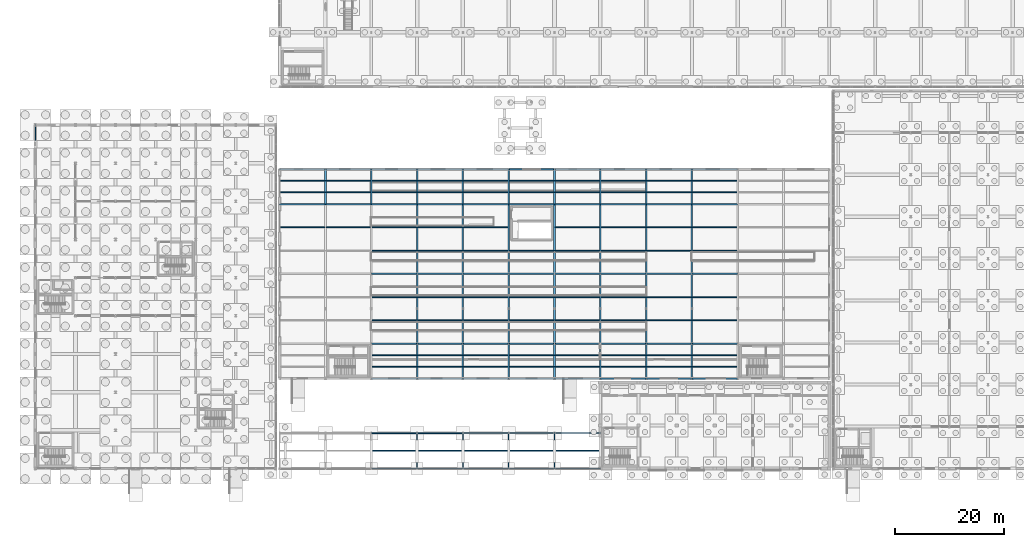
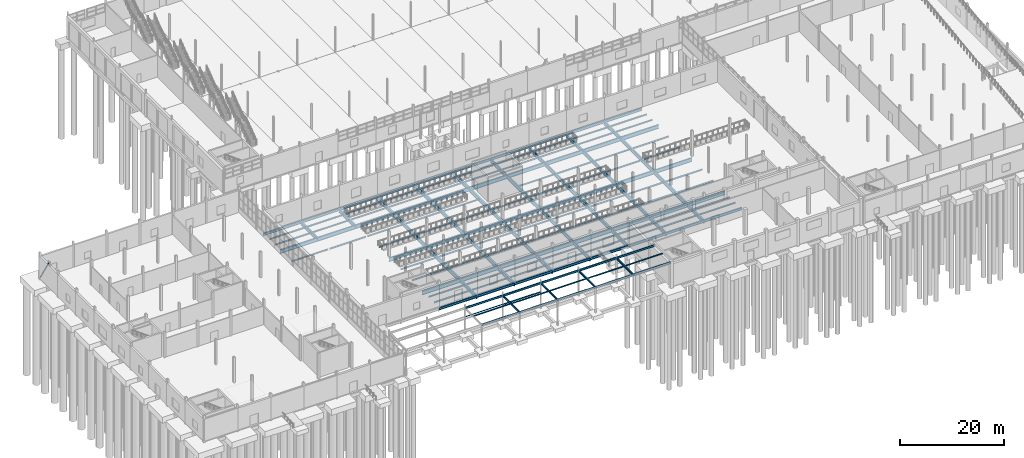
# One storey, part 65 of 139: 164 beams, 1 member.
"""IFC4 building model written with IfcOpenShell, lengths in metres."""

import ifcopenshell
import ifcopenshell.guid

model = None  # the IFC model being written
_history = None  # IfcOwnerHistory: only IFC2X3 demands one
_inside = {}  # id of a spatial element -> (the spatial element, [elements in it])
_under = {}  # id of a project, library or spatial element -> (it, [spatial elements below it])
_declared = {}  # id of a project -> (the project, [libraries it declares])
_typed = {}  # id of a type object -> (the type object, [elements of that type])
_made_of = {}  # id of a material, layer set ... -> (it, [elements and type objects made of it])


def new_model(schema):
    """Start an empty IFC model of exactly this schema.

    Asked for "IFC4X3", IfcOpenShell would pick the latest addendum, in which some entities
    have other attributes; the version numbers below select the first issue.
    IFC2X3 requires an IfcOwnerHistory on every rooted entity: one is made here for all.
    """
    global model, _history
    if schema == "IFC4X3":
        model = ifcopenshell.file(schema_version=(4, 3, 0, 0))
    else:
        model = ifcopenshell.file(schema=schema)
    _inside.clear()
    _under.clear()
    _declared.clear()
    _typed.clear()
    _made_of.clear()
    _history = None
    if model.schema == "IFC2X3":
        org = make("IfcOrganization", Name="unknown")
        user = make(
            "IfcPersonAndOrganization",
            ThePerson=make("IfcPerson", FamilyName="unknown"),
            TheOrganization=org,
        )
        app = make(
            "IfcApplication",
            ApplicationDeveloper=org,
            Version="unknown",
            ApplicationFullName="unknown",
            ApplicationIdentifier="unknown",
        )
        _history = make(
            "IfcOwnerHistory",
            OwningUser=user,
            OwningApplication=app,
            ChangeAction="ADDED",
            CreationDate=0,
        )
    return model


def make(cls, **values):
    """One entity of the class cls with the attributes given. An attribute that is None is left unset."""
    return model.create_entity(
        cls, **{name: value for name, value in values.items() if value is not None}
    )


def rooted(cls, **values):
    """An entity with a GlobalId (a new one), such as an element, a storey or a relation."""
    return make(cls, GlobalId=ifcopenshell.guid.new(), OwnerHistory=_history, **values)


def si_unit(unit_type, name, prefix=None):
    """IfcSIUnit, for example si_unit("LENGTHUNIT", "METRE", prefix="MILLI")."""
    return make("IfcSIUnit", UnitType=unit_type, Prefix=prefix, Name=name)


def assignment(units):
    """IfcUnitAssignment: the units of a project."""
    return None if units is None else make("IfcUnitAssignment", Units=units)


def point(xyz):
    """IfcCartesianPoint."""
    return None if xyz is None else make("IfcCartesianPoint", Coordinates=xyz)


def direction(xyz):
    """IfcDirection."""
    return None if xyz is None else make("IfcDirection", DirectionRatios=xyz)


def frame(location, z_axis=None, x_axis=None):
    """IfcAxis2Placement3D, a coordinate frame: its origin and axes. An axis left out is left unset."""
    return make(
        "IfcAxis2Placement3D",
        Location=point(location),
        Axis=direction(z_axis),
        RefDirection=direction(x_axis),
    )


def frame_2d(location, x_axis=None):
    """IfcAxis2Placement2D, a coordinate frame in the plane: its origin and x axis."""
    return make(
        "IfcAxis2Placement2D", Location=point(location), RefDirection=direction(x_axis)
    )


def origin():
    """The frame at (0, 0, 0) with its axes left unset."""
    return frame((0.0, 0.0, 0.0))


def origin_2d():
    """The frame at (0, 0) in the plane with its x axis left unset."""
    return frame_2d((0.0, 0.0))


def place(relative_to, where):
    """IfcLocalPlacement: puts the frame where relative to a parent placement (None: the world)."""
    return make(
        "IfcLocalPlacement", PlacementRelTo=relative_to, RelativePlacement=where
    )


def context(
    kind, dimensions, precision=None, world=None, true_north=None, identifier=None
):
    """IfcGeometricRepresentationContext, for example the 3D "Model" context."""
    return make(
        "IfcGeometricRepresentationContext",
        ContextIdentifier=identifier,
        ContextType=kind,
        CoordinateSpaceDimension=dimensions,
        Precision=precision,
        WorldCoordinateSystem=world,
        TrueNorth=true_north,
    )


def subcontext(parent, identifier, kind, view, scale=None):
    """IfcGeometricRepresentationSubContext, for example "Body" below "Model"."""
    return make(
        "IfcGeometricRepresentationSubContext",
        ContextIdentifier=identifier,
        ContextType=kind,
        ParentContext=parent,
        TargetScale=scale,
        TargetView=view,
    )


def project(units=None, contexts=None):
    """IfcProject with its units and contexts."""
    return rooted(
        "IfcProject",
        Name="project",
        RepresentationContexts=contexts,
        UnitsInContext=assignment(units),
    )


def spatial(cls, under=None, at=None, **own):
    """A site, building, storey or space (cls), placed at a placement, below another one or the project."""
    s = rooted(cls, ObjectPlacement=at, **own)
    if under is not None:
        _under.setdefault(under.id(), (under, []))[1].append(s)
    return s


def profile(cls, at=None, kind="AREA", **sizes):
    """A parametric profile (cls). Its sizes go by their IFC names, for example OverallWidth=200.0."""
    return make(cls, ProfileType=kind, Position=at, **sizes)


def hollow_rectangle(**sizes):
    """IfcRectangleHollowProfileDef."""
    return profile("IfcRectangleHollowProfileDef", **sizes)


def i_section(**sizes):
    """IfcIShapeProfileDef."""
    return profile("IfcIShapeProfileDef", **sizes)


def extrude(swept, where, along, depth):
    """IfcExtrudedAreaSolid: the profile swept, set in the frame where, extruded along a direction by depth."""
    return make(
        "IfcExtrudedAreaSolid",
        SweptArea=swept,
        Position=where,
        ExtrudedDirection=direction(along),
        Depth=depth,
    )


def shape(context_of_items, identifier, shape_type, items):
    """IfcShapeRepresentation: the items that make up one representation, for example the "Body"."""
    return make(
        "IfcShapeRepresentation",
        ContextOfItems=context_of_items,
        RepresentationIdentifier=identifier,
        RepresentationType=shape_type,
        Items=items,
    )


def material(Name=None, Category=None):
    """IfcMaterial."""
    return make("IfcMaterial", Name=Name, Category=Category)


def material_profile(
    of_material, cross_section, Name=None, Category=None, Priority=None
):
    """IfcMaterialProfile: a cross section and its material."""
    return make(
        "IfcMaterialProfile",
        Name=Name,
        Material=of_material,
        Profile=cross_section,
        Priority=Priority,
        Category=Category,
    )


def profile_set(profiles, Name=None, composite=None):
    """IfcMaterialProfileSet."""
    return make(
        "IfcMaterialProfileSet",
        Name=Name,
        MaterialProfiles=profiles,
        CompositeProfile=composite,
    )


def made_of(thing, what):
    """Note that an element or type object is made of a material, layer set ...; save() writes the relation."""
    if what is not None:
        _made_of.setdefault(what.id(), (what, []))[1].append(thing)
    return thing


def type_object(cls, material=None, **own):
    """A type object (cls), such as IfcWallType, which elements share."""
    return made_of(rooted(cls, **own), material)


def element(
    cls,
    number,
    at=None,
    inside=None,
    cuts=None,
    type_object=None,
    material=None,
    context=None,
    identifier="Body",
    shape_type=None,
    held_by="IfcProductDefinitionShape",
    body=None,
    shapes=None,
    **own,
):
    """One element of the class cls, such as IfcWall. Its Tag is "e" and its number.

    at: its placement. inside: the storey or other place that contains it. cuts: it is an
    opening in that element (IfcRelVoidsElement). A single representation is given by context,
    identifier, shape_type and body (its items); several are given by shapes. held_by: the class
    of the entity that holds the representations. save() writes the other relations.
    """
    e = rooted(cls, Tag="e%d" % number, ObjectPlacement=at, **own)
    if body is not None:
        shapes = [shape(context, identifier, shape_type, body)]
    if shapes is not None:
        e.Representation = make(held_by, Representations=shapes)
    if inside is not None:
        _inside.setdefault(inside.id(), (inside, []))[1].append(e)
    if cuts is not None:
        rooted(
            "IfcRelVoidsElement", RelatingBuildingElement=cuts, RelatedOpeningElement=e
        )
    if type_object is not None:
        _typed.setdefault(type_object.id(), (type_object, []))[1].append(e)
    return made_of(e, material)


def aggregate(whole, parts):
    """IfcRelAggregates: a whole, such as a stair, and the parts it consists of."""
    return rooted("IfcRelAggregates", RelatingObject=whole, RelatedObjects=parts)


def save(model, path):
    """Write the relations noted so far, then the file.

    IfcRelAggregates (storeys below a building ...), IfcRelContainedInSpatialStructure (elements
    in a storey), IfcRelDefinesByType, IfcRelAssociatesMaterial and IfcRelDeclares: one each for
    every whole, place, type object, material and project.
    """
    for whole, parts in _under.values():
        aggregate(whole, parts)
    for where, things in _inside.values():
        rooted(
            "IfcRelContainedInSpatialStructure",
            RelatedElements=things,
            RelatingStructure=where,
        )
    for kind, things in _typed.values():
        rooted("IfcRelDefinesByType", RelatedObjects=things, RelatingType=kind)
    for what, things in _made_of.values():
        rooted("IfcRelAssociatesMaterial", RelatedObjects=things, RelatingMaterial=what)
    for by, libraries in _declared.values():
        rooted("IfcRelDeclares", RelatingContext=by, RelatedDefinitions=libraries)
    model.write(path)


model = new_model("IFC4")

# Units and contexts
model_context = context("Model", 3, precision=1e-05, world=origin(), true_north=direction((0.0, 1.0)))
body_context = subcontext(model_context, "Body", "Model", "MODEL_VIEW")
ifc_project = project(units=[si_unit("LENGTHUNIT", "METRE"), si_unit("AREAUNIT", "SQUARE_METRE"), si_unit("VOLUMEUNIT", "CUBIC_METRE"), si_unit("PLANEANGLEUNIT", "RADIAN"), si_unit("MASSUNIT", "GRAM", prefix="KILO")], contexts=[model_context])

# Site, building, storey
site_placement = place(None, origin())
site = spatial("IfcSite", under=ifc_project, at=site_placement, CompositionType="ELEMENT")
building_placement = place(site_placement, origin())
building = spatial("IfcBuilding", under=site, at=building_placement, Name="Kazenagashi Tramway Depot", CompositionType="ELEMENT")
storey_placement = place(building_placement, origin())
storey = spatial("IfcBuildingStorey", under=building, at=storey_placement, Name="L01", CompositionType="ELEMENT", Elevation=0.0)

# Member
ifc_material_1 = material(Name="Steel SN400B", Category="steel")
ifc_material_profile_1 = material_profile(ifc_material_1, i_section(OverallWidth=0.2, OverallDepth=0.2, WebThickness=0.008, FlangeThickness=0.012, at=origin_2d()), Name="H-200x200x8x12")
ifc_profile_set_1 = profile_set([ifc_material_profile_1], Name="Steel SN400B")
member_type = type_object("IfcMemberType", Name="BR-04", PredefinedType="BRACE", material=ifc_profile_set_1)
member_placement = place(storey_placement, frame((0.0, 63.0, 0.0), z_axis=(0.0, -0.519946946896, 0.854198555614), x_axis=(1.0, 0.0, 0.0)))
element("IfcMember", 1, at=member_placement, inside=storey, type_object=member_type, Name="Seismic Brace Member BR-04 MEM-1603", PredefinedType="BRACE", context=body_context, shape_type="SweptSolid", body=[
    extrude(i_section(OverallWidth=0.2, OverallDepth=0.2, WebThickness=0.008, FlangeThickness=0.012, at=origin_2d()), origin(), (0.0, 0.0, 1.0), 6.731456),
])

# Beams
ifc_material_2 = material(Name="Steel SN490B", Category="steel")
ifc_material_profile_2 = material_profile(ifc_material_2, i_section(OverallWidth=0.3, OverallDepth=0.9, WebThickness=0.016, FlangeThickness=0.028, at=origin_2d()), Name="H-900x300x16x28")
ifc_profile_set_2 = profile_set([ifc_material_profile_2], Name="Steel SN490B")
beam_type_1 = type_object("IfcBeamType", Name="G-01", PredefinedType="BEAM", material=ifc_profile_set_2)
for number, where, z_axis, x_axis, name in (
    (2, (61.6, 22.9, -0.8), (1.0, 0.0, 0.0), (0.0, 1.0, 0.0), "Beam G-01 BM-0755"),
    (3, (70.0, 22.9, -0.8), (1.0, 0.0, 0.0), (0.0, 1.0, 0.0), "Beam G-01 BM-0756"),
    (4, (78.4, 22.9, -0.8), (1.0, 0.0, 0.0), (0.0, 1.0, 0.0), "Beam G-01 BM-0757"),
    (5, (86.8, 22.9, -0.8), (1.0, 0.0, 0.0), (0.0, 1.0, 0.0), "Beam G-01 BM-0758"),
    (6, (95.2, 22.9, -0.8), (1.0, 0.0, 0.0), (0.0, 1.0, 0.0), "Beam G-01 BM-0759"),
    (7, (103.6, 22.9, -0.8), (1.0, 0.0, 0.0), (0.0, 1.0, 0.0), "Beam G-01 BM-0760"),
    (8, (112.0, 22.9, -0.8), (1.0, 0.0, 0.0), (0.0, 1.0, 0.0), "Beam G-01 BM-0761"),
    (9, (120.4, 22.9, -0.8), (1.0, 0.0, 0.0), (0.0, 1.0, 0.0), "Beam G-01 BM-0762"),
    (10, (61.6, 35.7, -0.8), (1.0, 0.0, 0.0), (0.0, 1.0, 0.0), "Beam G-01 BM-0767"),
    (11, (70.0, 35.7, -0.8), (1.0, 0.0, 0.0), (0.0, 1.0, 0.0), "Beam G-01 BM-0768"),
    (12, (78.4, 35.7, -0.8), (1.0, 0.0, 0.0), (0.0, 1.0, 0.0), "Beam G-01 BM-0769"),
    (13, (86.8, 35.7, -0.8), (1.0, 0.0, 0.0), (0.0, 1.0, 0.0), "Beam G-01 BM-0770"),
    (14, (95.2, 35.7, -0.8), (1.0, 0.0, 0.0), (0.0, 1.0, 0.0), "Beam G-01 BM-0771"),
    (15, (103.6, 35.7, -0.8), (1.0, 0.0, 0.0), (0.0, 1.0, 0.0), "Beam G-01 BM-0772"),
    (16, (112.0, 35.7, -0.8), (1.0, 0.0, 0.0), (0.0, 1.0, 0.0), "Beam G-01 BM-0773"),
    (17, (120.4, 35.7, -0.8), (1.0, 0.0, 0.0), (0.0, 1.0, 0.0), "Beam G-01 BM-0774"),
    (18, (44.8, 48.5, -0.8), (1.0, 0.0, 0.0), (0.0, 1.0, 0.0), "Beam G-01 BM-0777"),
    (19, (53.2, 48.5, -0.8), (1.0, 0.0, 0.0), (0.0, 1.0, 0.0), "Beam G-01 BM-0778"),
    (20, (61.6, 48.5, -0.8), (1.0, 0.0, 0.0), (0.0, 1.0, 0.0), "Beam G-01 BM-0779"),
    (21, (70.0, 48.5, -0.8), (1.0, 0.0, 0.0), (0.0, 1.0, 0.0), "Beam G-01 BM-0780"),
    (22, (78.4, 48.5, -0.8), (1.0, 0.0, 0.0), (0.0, 1.0, 0.0), "Beam G-01 BM-0781"),
    (23, (86.8, 48.5, -0.8), (1.0, 0.0, 0.0), (0.0, 1.0, 0.0), "Beam G-01 BM-0782"),
    (24, (95.2, 48.5, -0.8), (1.0, 0.0, 0.0), (0.0, 1.0, 0.0), "Beam G-01 BM-0783"),
    (25, (103.6, 48.5, -0.8), (1.0, 0.0, 0.0), (0.0, 1.0, 0.0), "Beam G-01 BM-0784"),
    (26, (112.0, 48.5, -0.8), (1.0, 0.0, 0.0), (0.0, 1.0, 0.0), "Beam G-01 BM-0785"),
    (27, (120.4, 48.5, -0.8), (1.0, 0.0, 0.0), (0.0, 1.0, 0.0), "Beam G-01 BM-0786"),
):
    element("IfcBeam", number, at=place(storey_placement, frame(where, z_axis=z_axis, x_axis=x_axis)), inside=storey, type_object=beam_type_1, Name=name, PredefinedType="BEAM", context=body_context, shape_type="SweptSolid", body=[
        extrude(i_section(OverallWidth=0.3, OverallDepth=0.9, WebThickness=0.016, FlangeThickness=0.028, at=origin_2d()), origin(), (0.0, 0.0, 1.0), 8.4),
    ])
for number, where, z_axis, x_axis, name in (
    (28, (53.2, 48.5, -0.8), (0.0, 1.0, 0.0), (-1.0, 0.0, 0.0), "Beam G-01 BM-0821"),
    (29, (61.6, 48.5, -0.8), (0.0, 1.0, 0.0), (-1.0, 0.0, 0.0), "Beam G-01 BM-0833"),
    (30, (70.0, 16.5, -0.8), (0.0, 1.0, 0.0), (-1.0, 0.0, 0.0), "Beam G-01 BM-0836"),
):
    element("IfcBeam", number, at=place(storey_placement, frame(where, z_axis=z_axis, x_axis=x_axis)), inside=storey, type_object=beam_type_1, Name=name, PredefinedType="BEAM", context=body_context, shape_type="SweptSolid", body=[
        extrude(i_section(OverallWidth=0.3, OverallDepth=0.9, WebThickness=0.016, FlangeThickness=0.028, at=origin_2d()), origin(), (0.0, 0.0, 1.0), 6.4),
    ])
for number, where, z_axis, x_axis, name in (
    (31, (70.0, 22.9, -0.8), (0.0, 1.0, 0.0), (-1.0, 0.0, 0.0), "Beam G-01 BM-0839"),
    (32, (70.0, 35.7, -0.8), (0.0, 1.0, 0.0), (-1.0, 0.0, 0.0), "Beam G-01 BM-0842"),
):
    element("IfcBeam", number, at=place(storey_placement, frame(where, z_axis=z_axis, x_axis=x_axis)), inside=storey, type_object=beam_type_1, Name=name, PredefinedType="BEAM", context=body_context, shape_type="SweptSolid", body=[
        extrude(i_section(OverallWidth=0.3, OverallDepth=0.9, WebThickness=0.016, FlangeThickness=0.028, at=origin_2d()), origin(), (0.0, 0.0, 1.0), 12.8),
    ])
for number, where, z_axis, x_axis, name in (
    (33, (70.0, 48.5, -0.8), (0.0, 1.0, 0.0), (-1.0, 0.0, 0.0), "Beam G-01 BM-0845"),
    (34, (78.4, 16.5, -0.8), (0.0, 1.0, 0.0), (-1.0, 0.0, 0.0), "Beam G-01 BM-0848"),
):
    element("IfcBeam", number, at=place(storey_placement, frame(where, z_axis=z_axis, x_axis=x_axis)), inside=storey, type_object=beam_type_1, Name=name, PredefinedType="BEAM", context=body_context, shape_type="SweptSolid", body=[
        extrude(i_section(OverallWidth=0.3, OverallDepth=0.9, WebThickness=0.016, FlangeThickness=0.028, at=origin_2d()), origin(), (0.0, 0.0, 1.0), 6.4),
    ])
for number, where, z_axis, x_axis, name in (
    (35, (78.4, 22.9, -0.8), (0.0, 1.0, 0.0), (-1.0, 0.0, 0.0), "Beam G-01 BM-0851"),
    (36, (78.4, 35.7, -0.8), (0.0, 1.0, 0.0), (-1.0, 0.0, 0.0), "Beam G-01 BM-0854"),
):
    element("IfcBeam", number, at=place(storey_placement, frame(where, z_axis=z_axis, x_axis=x_axis)), inside=storey, type_object=beam_type_1, Name=name, PredefinedType="BEAM", context=body_context, shape_type="SweptSolid", body=[
        extrude(i_section(OverallWidth=0.3, OverallDepth=0.9, WebThickness=0.016, FlangeThickness=0.028, at=origin_2d()), origin(), (0.0, 0.0, 1.0), 12.8),
    ])
for number, where, z_axis, x_axis, name in (
    (37, (78.4, 48.5, -0.8), (0.0, 1.0, 0.0), (-1.0, 0.0, 0.0), "Beam G-01 BM-0857"),
    (38, (86.8, 16.5, -0.8), (0.0, 1.0, 0.0), (-1.0, 0.0, 0.0), "Beam G-01 BM-0860"),
):
    element("IfcBeam", number, at=place(storey_placement, frame(where, z_axis=z_axis, x_axis=x_axis)), inside=storey, type_object=beam_type_1, Name=name, PredefinedType="BEAM", context=body_context, shape_type="SweptSolid", body=[
        extrude(i_section(OverallWidth=0.3, OverallDepth=0.9, WebThickness=0.016, FlangeThickness=0.028, at=origin_2d()), origin(), (0.0, 0.0, 1.0), 6.4),
    ])
for number, where, z_axis, x_axis, name in (
    (39, (86.8, 22.9, -0.8), (0.0, 1.0, 0.0), (-1.0, 0.0, 0.0), "Beam G-01 BM-0863"),
    (40, (86.8, 35.7, -0.8), (0.0, 1.0, 0.0), (-1.0, 0.0, 0.0), "Beam G-01 BM-0866"),
):
    element("IfcBeam", number, at=place(storey_placement, frame(where, z_axis=z_axis, x_axis=x_axis)), inside=storey, type_object=beam_type_1, Name=name, PredefinedType="BEAM", context=body_context, shape_type="SweptSolid", body=[
        extrude(i_section(OverallWidth=0.3, OverallDepth=0.9, WebThickness=0.016, FlangeThickness=0.028, at=origin_2d()), origin(), (0.0, 0.0, 1.0), 12.8),
    ])
for number, where, z_axis, x_axis, name in (
    (41, (86.8, 48.5, -0.8), (0.0, 1.0, 0.0), (-1.0, 0.0, 0.0), "Beam G-01 BM-0868"),
    (42, (95.2, 16.5, -0.8), (0.0, 1.0, 0.0), (-1.0, 0.0, 0.0), "Beam G-01 BM-0871"),
):
    element("IfcBeam", number, at=place(storey_placement, frame(where, z_axis=z_axis, x_axis=x_axis)), inside=storey, type_object=beam_type_1, Name=name, PredefinedType="BEAM", context=body_context, shape_type="SweptSolid", body=[
        extrude(i_section(OverallWidth=0.3, OverallDepth=0.9, WebThickness=0.016, FlangeThickness=0.028, at=origin_2d()), origin(), (0.0, 0.0, 1.0), 6.4),
    ])
for number, where, z_axis, x_axis, name in (
    (43, (95.2, 22.9, -0.8), (0.0, 1.0, 0.0), (-1.0, 0.0, 0.0), "Beam G-01 BM-0874"),
    (44, (95.2, 35.7, -0.8), (0.0, 1.0, 0.0), (-1.0, 0.0, 0.0), "Beam G-01 BM-0877"),
):
    element("IfcBeam", number, at=place(storey_placement, frame(where, z_axis=z_axis, x_axis=x_axis)), inside=storey, type_object=beam_type_1, Name=name, PredefinedType="BEAM", context=body_context, shape_type="SweptSolid", body=[
        extrude(i_section(OverallWidth=0.3, OverallDepth=0.9, WebThickness=0.016, FlangeThickness=0.028, at=origin_2d()), origin(), (0.0, 0.0, 1.0), 12.8),
    ])
for number, where, z_axis, x_axis, name in (
    (45, (95.2, 48.5, -0.8), (0.0, 1.0, 0.0), (-1.0, 0.0, 0.0), "Beam G-01 BM-0880"),
    (46, (103.6, 16.5, -0.8), (0.0, 1.0, 0.0), (-1.0, 0.0, 0.0), "Beam G-01 BM-0883"),
):
    element("IfcBeam", number, at=place(storey_placement, frame(where, z_axis=z_axis, x_axis=x_axis)), inside=storey, type_object=beam_type_1, Name=name, PredefinedType="BEAM", context=body_context, shape_type="SweptSolid", body=[
        extrude(i_section(OverallWidth=0.3, OverallDepth=0.9, WebThickness=0.016, FlangeThickness=0.028, at=origin_2d()), origin(), (0.0, 0.0, 1.0), 6.4),
    ])
for number, where, z_axis, x_axis, name in (
    (47, (103.6, 22.9, -0.8), (0.0, 1.0, 0.0), (-1.0, 0.0, 0.0), "Beam G-01 BM-0886"),
    (48, (103.6, 35.7, -0.8), (0.0, 1.0, 0.0), (-1.0, 0.0, 0.0), "Beam G-01 BM-0889"),
):
    element("IfcBeam", number, at=place(storey_placement, frame(where, z_axis=z_axis, x_axis=x_axis)), inside=storey, type_object=beam_type_1, Name=name, PredefinedType="BEAM", context=body_context, shape_type="SweptSolid", body=[
        extrude(i_section(OverallWidth=0.3, OverallDepth=0.9, WebThickness=0.016, FlangeThickness=0.028, at=origin_2d()), origin(), (0.0, 0.0, 1.0), 12.8),
    ])
for number, where, z_axis, x_axis, name in (
    (49, (103.6, 48.5, -0.8), (0.0, 1.0, 0.0), (-1.0, 0.0, 0.0), "Beam G-01 BM-0892"),
    (50, (112.0, 16.5, -0.8), (0.0, 1.0, 0.0), (-1.0, 0.0, 0.0), "Beam G-01 BM-0895"),
):
    element("IfcBeam", number, at=place(storey_placement, frame(where, z_axis=z_axis, x_axis=x_axis)), inside=storey, type_object=beam_type_1, Name=name, PredefinedType="BEAM", context=body_context, shape_type="SweptSolid", body=[
        extrude(i_section(OverallWidth=0.3, OverallDepth=0.9, WebThickness=0.016, FlangeThickness=0.028, at=origin_2d()), origin(), (0.0, 0.0, 1.0), 6.4),
    ])
for number, where, z_axis, x_axis, name in (
    (51, (112.0, 22.9, -0.8), (0.0, 1.0, 0.0), (-1.0, 0.0, 0.0), "Beam G-01 BM-0898"),
    (52, (112.0, 35.7, -0.8), (0.0, 1.0, 0.0), (-1.0, 0.0, 0.0), "Beam G-01 BM-0901"),
):
    element("IfcBeam", number, at=place(storey_placement, frame(where, z_axis=z_axis, x_axis=x_axis)), inside=storey, type_object=beam_type_1, Name=name, PredefinedType="BEAM", context=body_context, shape_type="SweptSolid", body=[
        extrude(i_section(OverallWidth=0.3, OverallDepth=0.9, WebThickness=0.016, FlangeThickness=0.028, at=origin_2d()), origin(), (0.0, 0.0, 1.0), 12.8),
    ])
for number, where, z_axis, x_axis, name in (
    (53, (112.0, 48.5, -0.8), (0.0, 1.0, 0.0), (-1.0, 0.0, 0.0), "Beam G-01 BM-0904"),
    (54, (120.4, 16.5, -0.8), (0.0, 1.0, 0.0), (-1.0, 0.0, 0.0), "Beam G-01 BM-0907"),
):
    element("IfcBeam", number, at=place(storey_placement, frame(where, z_axis=z_axis, x_axis=x_axis)), inside=storey, type_object=beam_type_1, Name=name, PredefinedType="BEAM", context=body_context, shape_type="SweptSolid", body=[
        extrude(i_section(OverallWidth=0.3, OverallDepth=0.9, WebThickness=0.016, FlangeThickness=0.028, at=origin_2d()), origin(), (0.0, 0.0, 1.0), 6.4),
    ])
for number, where, z_axis, x_axis, name in (
    (55, (120.4, 22.9, -0.8), (0.0, 1.0, 0.0), (-1.0, 0.0, 0.0), "Beam G-01 BM-0910"),
    (56, (120.4, 35.7, -0.8), (0.0, 1.0, 0.0), (-1.0, 0.0, 0.0), "Beam G-01 BM-0913"),
):
    element("IfcBeam", number, at=place(storey_placement, frame(where, z_axis=z_axis, x_axis=x_axis)), inside=storey, type_object=beam_type_1, Name=name, PredefinedType="BEAM", context=body_context, shape_type="SweptSolid", body=[
        extrude(i_section(OverallWidth=0.3, OverallDepth=0.9, WebThickness=0.016, FlangeThickness=0.028, at=origin_2d()), origin(), (0.0, 0.0, 1.0), 12.8),
    ])
beam_1_placement = place(storey_placement, frame((120.4, 48.5, -0.8), z_axis=(0.0, 1.0, 0.0), x_axis=(-1.0, 0.0, 0.0)))
element("IfcBeam", 57, at=beam_1_placement, inside=storey, type_object=beam_type_1, Name="Beam G-01 BM-0916", PredefinedType="BEAM", context=body_context, shape_type="SweptSolid", body=[
    extrude(i_section(OverallWidth=0.3, OverallDepth=0.9, WebThickness=0.016, FlangeThickness=0.028, at=origin_2d()), origin(), (0.0, 0.0, 1.0), 6.4),
])
ifc_material_3 = material(Name="Weathering Steel SMA490W", Category="steel")
ifc_material_profile_3 = material_profile(ifc_material_3, i_section(OverallWidth=0.2, OverallDepth=0.45, WebThickness=0.009, FlangeThickness=0.014, at=origin_2d()), Name="H-450x200x9x14")
ifc_profile_set_3 = profile_set([ifc_material_profile_3], Name="Weathering Steel SMA490W")
beam_type_2 = type_object("IfcBeamType", Name="G-04", PredefinedType="BEAM", material=ifc_profile_set_3)
for number, where, z_axis, x_axis, name in (
    (58, (61.6, 0.0, 5.55), (1.0, 0.0, 0.0), (0.0, 1.0, 0.0), "Beam G-04 BM-1900"),
    (59, (70.0, 0.0, 5.55), (1.0, 0.0, 0.0), (0.0, 1.0, 0.0), "Beam G-04 BM-1901"),
    (60, (78.4, 0.0, 5.55), (1.0, 0.0, 0.0), (0.0, 1.0, 0.0), "Beam G-04 BM-1902"),
    (61, (86.8, 0.0, 5.55), (1.0, 0.0, 0.0), (0.0, 1.0, 0.0), "Beam G-04 BM-1903"),
    (62, (95.2, 0.0, 5.55), (1.0, 0.0, 0.0), (0.0, 1.0, 0.0), "Beam G-04 BM-1904"),
    (63, (61.6, 6.5, 5.55), (1.0, 0.0, 0.0), (0.0, 1.0, 0.0), "Beam G-04 BM-1907"),
    (64, (70.0, 6.5, 5.55), (1.0, 0.0, 0.0), (0.0, 1.0, 0.0), "Beam G-04 BM-1908"),
    (65, (78.4, 6.5, 5.55), (1.0, 0.0, 0.0), (0.0, 1.0, 0.0), "Beam G-04 BM-1909"),
    (66, (86.8, 6.5, 5.55), (1.0, 0.0, 0.0), (0.0, 1.0, 0.0), "Beam G-04 BM-1910"),
    (67, (95.2, 6.5, 5.55), (1.0, 0.0, 0.0), (0.0, 1.0, 0.0), "Beam G-04 BM-1911"),
):
    element("IfcBeam", number, at=place(storey_placement, frame(where, z_axis=z_axis, x_axis=x_axis)), inside=storey, type_object=beam_type_2, Name=name, PredefinedType="BEAM", context=body_context, shape_type="SweptSolid", body=[
        extrude(i_section(OverallWidth=0.2, OverallDepth=0.45, WebThickness=0.009, FlangeThickness=0.014, at=origin_2d()), origin(), (0.0, 0.0, 1.0), 8.4),
    ])
for number, where, z_axis, x_axis, name in (
    (68, (70.0, 0.0, 5.55), (0.0, 1.0, 0.0), (-1.0, 0.0, 0.0), "Beam G-04 BM-1918"),
    (69, (78.4, 0.0, 5.55), (0.0, 1.0, 0.0), (-1.0, 0.0, 0.0), "Beam G-04 BM-1920"),
    (70, (86.8, 0.0, 5.55), (0.0, 1.0, 0.0), (-1.0, 0.0, 0.0), "Beam G-04 BM-1922"),
    (71, (95.2, 0.0, 5.55), (0.0, 1.0, 0.0), (-1.0, 0.0, 0.0), "Beam G-04 BM-1924"),
):
    element("IfcBeam", number, at=place(storey_placement, frame(where, z_axis=z_axis, x_axis=x_axis)), inside=storey, type_object=beam_type_2, Name=name, PredefinedType="BEAM", context=body_context, shape_type="SweptSolid", body=[
        extrude(i_section(OverallWidth=0.2, OverallDepth=0.45, WebThickness=0.009, FlangeThickness=0.014, at=origin_2d()), origin(), (0.0, 0.0, 1.0), 6.5),
    ])
ifc_material_profile_4 = material_profile(ifc_material_1, i_section(OverallWidth=0.175, OverallDepth=0.35, WebThickness=0.007, FlangeThickness=0.011, at=origin_2d()), Name="H-350x175x7x11")
ifc_profile_set_4 = profile_set([ifc_material_profile_4], Name="Steel SN400B")
beam_type_3 = type_object("IfcBeamType", Name="J-01", PredefinedType="JOIST", material=ifc_profile_set_4)
for number, where, z_axis, x_axis, name in (
    (72, (44.95, 44.233, -0.525), (1.0, 0.0, 0.0), (0.0, 1.0, 0.0), "Beam J-01 BM-0809"),
    (73, (44.95, 50.633, -0.525), (1.0, 0.0, 0.0), (0.0, 1.0, 0.0), "Beam J-01 BM-0811"),
    (74, (44.95, 52.767, -0.525), (1.0, 0.0, 0.0), (0.0, 1.0, 0.0), "Beam J-01 BM-0812"),
    (75, (53.35, 44.233, -0.525), (1.0, 0.0, 0.0), (0.0, 1.0, 0.0), "Beam J-01 BM-0820"),
    (76, (53.35, 50.633, -0.525), (1.0, 0.0, 0.0), (0.0, 1.0, 0.0), "Beam J-01 BM-0822"),
    (77, (53.35, 52.767, -0.525), (1.0, 0.0, 0.0), (0.0, 1.0, 0.0), "Beam J-01 BM-0823"),
    (78, (61.75, 18.633, -0.525), (1.0, 0.0, 0.0), (0.0, 1.0, 0.0), "Beam J-01 BM-0825"),
    (79, (61.75, 20.767, -0.525), (1.0, 0.0, 0.0), (0.0, 1.0, 0.0), "Beam J-01 BM-0826"),
    (80, (61.75, 27.167, -0.525), (1.0, 0.0, 0.0), (0.0, 1.0, 0.0), "Beam J-01 BM-0828"),
    (81, (61.75, 31.433, -0.525), (1.0, 0.0, 0.0), (0.0, 1.0, 0.0), "Beam J-01 BM-0829"),
    (82, (61.75, 39.967, -0.525), (1.0, 0.0, 0.0), (0.0, 1.0, 0.0), "Beam J-01 BM-0831"),
    (83, (61.75, 44.233, -0.525), (1.0, 0.0, 0.0), (0.0, 1.0, 0.0), "Beam J-01 BM-0832"),
    (84, (61.75, 50.633, -0.525), (1.0, 0.0, 0.0), (0.0, 1.0, 0.0), "Beam J-01 BM-0834"),
    (85, (61.75, 52.767, -0.525), (1.0, 0.0, 0.0), (0.0, 1.0, 0.0), "Beam J-01 BM-0835"),
    (86, (70.15, 18.633, -0.525), (1.0, 0.0, 0.0), (0.0, 1.0, 0.0), "Beam J-01 BM-0837"),
    (87, (70.15, 20.767, -0.525), (1.0, 0.0, 0.0), (0.0, 1.0, 0.0), "Beam J-01 BM-0838"),
    (88, (70.15, 27.167, -0.525), (1.0, 0.0, 0.0), (0.0, 1.0, 0.0), "Beam J-01 BM-0840"),
    (89, (70.15, 31.433, -0.525), (1.0, 0.0, 0.0), (0.0, 1.0, 0.0), "Beam J-01 BM-0841"),
    (90, (70.15, 39.967, -0.525), (1.0, 0.0, 0.0), (0.0, 1.0, 0.0), "Beam J-01 BM-0843"),
    (91, (70.15, 44.233, -0.525), (1.0, 0.0, 0.0), (0.0, 1.0, 0.0), "Beam J-01 BM-0844"),
    (92, (70.15, 50.633, -0.525), (1.0, 0.0, 0.0), (0.0, 1.0, 0.0), "Beam J-01 BM-0846"),
    (93, (70.15, 52.767, -0.525), (1.0, 0.0, 0.0), (0.0, 1.0, 0.0), "Beam J-01 BM-0847"),
    (94, (78.55, 18.633, -0.525), (1.0, 0.0, 0.0), (0.0, 1.0, 0.0), "Beam J-01 BM-0849"),
    (95, (78.55, 20.767, -0.525), (1.0, 0.0, 0.0), (0.0, 1.0, 0.0), "Beam J-01 BM-0850"),
    (96, (78.55, 27.167, -0.525), (1.0, 0.0, 0.0), (0.0, 1.0, 0.0), "Beam J-01 BM-0852"),
    (97, (78.55, 31.433, -0.525), (1.0, 0.0, 0.0), (0.0, 1.0, 0.0), "Beam J-01 BM-0853"),
    (98, (78.55, 39.967, -0.525), (1.0, 0.0, 0.0), (0.0, 1.0, 0.0), "Beam J-01 BM-0855"),
    (99, (78.55, 44.233, -0.525), (1.0, 0.0, 0.0), (0.0, 1.0, 0.0), "Beam J-01 BM-0856"),
    (100, (78.55, 50.633, -0.525), (1.0, 0.0, 0.0), (0.0, 1.0, 0.0), "Beam J-01 BM-0858"),
    (101, (78.55, 52.767, -0.525), (1.0, 0.0, 0.0), (0.0, 1.0, 0.0), "Beam J-01 BM-0859"),
    (102, (86.95, 18.633, -0.525), (1.0, 0.0, 0.0), (0.0, 1.0, 0.0), "Beam J-01 BM-0861"),
    (103, (86.95, 20.767, -0.525), (1.0, 0.0, 0.0), (0.0, 1.0, 0.0), "Beam J-01 BM-0862"),
    (104, (86.95, 27.167, -0.525), (1.0, 0.0, 0.0), (0.0, 1.0, 0.0), "Beam J-01 BM-0864"),
    (105, (86.95, 31.433, -0.525), (1.0, 0.0, 0.0), (0.0, 1.0, 0.0), "Beam J-01 BM-0865"),
    (106, (86.95, 39.967, -0.525), (1.0, 0.0, 0.0), (0.0, 1.0, 0.0), "Beam J-01 BM-0867"),
    (107, (86.95, 50.633, -0.525), (1.0, 0.0, 0.0), (0.0, 1.0, 0.0), "Beam J-01 BM-0869"),
    (108, (86.95, 52.767, -0.525), (1.0, 0.0, 0.0), (0.0, 1.0, 0.0), "Beam J-01 BM-0870"),
    (109, (95.35, 18.633, -0.525), (1.0, 0.0, 0.0), (0.0, 1.0, 0.0), "Beam J-01 BM-0872"),
    (110, (95.35, 20.767, -0.525), (1.0, 0.0, 0.0), (0.0, 1.0, 0.0), "Beam J-01 BM-0873"),
    (111, (95.35, 27.167, -0.525), (1.0, 0.0, 0.0), (0.0, 1.0, 0.0), "Beam J-01 BM-0875"),
    (112, (95.35, 31.433, -0.525), (1.0, 0.0, 0.0), (0.0, 1.0, 0.0), "Beam J-01 BM-0876"),
    (113, (95.35, 39.967, -0.525), (1.0, 0.0, 0.0), (0.0, 1.0, 0.0), "Beam J-01 BM-0878"),
    (114, (95.35, 44.233, -0.525), (1.0, 0.0, 0.0), (0.0, 1.0, 0.0), "Beam J-01 BM-0879"),
    (115, (95.35, 50.633, -0.525), (1.0, 0.0, 0.0), (0.0, 1.0, 0.0), "Beam J-01 BM-0881"),
    (116, (95.35, 52.767, -0.525), (1.0, 0.0, 0.0), (0.0, 1.0, 0.0), "Beam J-01 BM-0882"),
    (117, (103.75, 18.633, -0.525), (1.0, 0.0, 0.0), (0.0, 1.0, 0.0), "Beam J-01 BM-0884"),
    (118, (103.75, 20.767, -0.525), (1.0, 0.0, 0.0), (0.0, 1.0, 0.0), "Beam J-01 BM-0885"),
    (119, (103.75, 27.167, -0.525), (1.0, 0.0, 0.0), (0.0, 1.0, 0.0), "Beam J-01 BM-0887"),
    (120, (103.75, 31.433, -0.525), (1.0, 0.0, 0.0), (0.0, 1.0, 0.0), "Beam J-01 BM-0888"),
    (121, (103.75, 39.967, -0.525), (1.0, 0.0, 0.0), (0.0, 1.0, 0.0), "Beam J-01 BM-0890"),
    (122, (103.75, 44.233, -0.525), (1.0, 0.0, 0.0), (0.0, 1.0, 0.0), "Beam J-01 BM-0891"),
    (123, (103.75, 50.633, -0.525), (1.0, 0.0, 0.0), (0.0, 1.0, 0.0), "Beam J-01 BM-0893"),
    (124, (103.75, 52.767, -0.525), (1.0, 0.0, 0.0), (0.0, 1.0, 0.0), "Beam J-01 BM-0894"),
    (125, (112.15, 18.633, -0.525), (1.0, 0.0, 0.0), (0.0, 1.0, 0.0), "Beam J-01 BM-0896"),
    (126, (112.15, 20.767, -0.525), (1.0, 0.0, 0.0), (0.0, 1.0, 0.0), "Beam J-01 BM-0897"),
    (127, (112.15, 27.167, -0.525), (1.0, 0.0, 0.0), (0.0, 1.0, 0.0), "Beam J-01 BM-0899"),
    (128, (112.15, 31.433, -0.525), (1.0, 0.0, 0.0), (0.0, 1.0, 0.0), "Beam J-01 BM-0900"),
    (129, (112.15, 39.967, -0.525), (1.0, 0.0, 0.0), (0.0, 1.0, 0.0), "Beam J-01 BM-0902"),
    (130, (112.15, 44.233, -0.525), (1.0, 0.0, 0.0), (0.0, 1.0, 0.0), "Beam J-01 BM-0903"),
    (131, (112.15, 50.633, -0.525), (1.0, 0.0, 0.0), (0.0, 1.0, 0.0), "Beam J-01 BM-0905"),
    (132, (112.15, 52.767, -0.525), (1.0, 0.0, 0.0), (0.0, 1.0, 0.0), "Beam J-01 BM-0906"),
    (133, (120.55, 18.633, -0.525), (1.0, 0.0, 0.0), (0.0, 1.0, 0.0), "Beam J-01 BM-0908"),
    (134, (120.55, 20.767, -0.525), (1.0, 0.0, 0.0), (0.0, 1.0, 0.0), "Beam J-01 BM-0909"),
    (135, (120.55, 27.167, -0.525), (1.0, 0.0, 0.0), (0.0, 1.0, 0.0), "Beam J-01 BM-0911"),
    (136, (120.55, 31.433, -0.525), (1.0, 0.0, 0.0), (0.0, 1.0, 0.0), "Beam J-01 BM-0912"),
    (137, (120.55, 39.967, -0.525), (1.0, 0.0, 0.0), (0.0, 1.0, 0.0), "Beam J-01 BM-0914"),
    (138, (120.55, 44.233, -0.525), (1.0, 0.0, 0.0), (0.0, 1.0, 0.0), "Beam J-01 BM-0915"),
    (139, (120.55, 50.633, -0.525), (1.0, 0.0, 0.0), (0.0, 1.0, 0.0), "Beam J-01 BM-0917"),
    (140, (120.55, 52.767, -0.525), (1.0, 0.0, 0.0), (0.0, 1.0, 0.0), "Beam J-01 BM-0918"),
):
    element("IfcBeam", number, at=place(storey_placement, frame(where, z_axis=z_axis, x_axis=x_axis)), inside=storey, type_object=beam_type_3, Name=name, PredefinedType="JOIST", context=body_context, shape_type="SweptSolid", body=[
        extrude(i_section(OverallWidth=0.175, OverallDepth=0.35, WebThickness=0.007, FlangeThickness=0.011, at=origin_2d()), origin(), (0.0, 0.0, 1.0), 8.1),
    ])
ifc_material_profile_5 = material_profile(ifc_material_1, i_section(OverallWidth=0.175, OverallDepth=0.244, WebThickness=0.007, FlangeThickness=0.011, at=origin_2d()), Name="H-244x175x7x11")
ifc_profile_set_5 = profile_set([ifc_material_profile_5], Name="Steel SN400B")
beam_type_4 = type_object("IfcBeamType", Name="J-04", PredefinedType="JOIST", material=ifc_profile_set_5)
for number, where, z_axis, x_axis, name in (
    (141, (61.7, 3.25, 5.653), (1.0, 0.0, 0.0), (0.0, 1.0, 0.0), "Beam J-04 BM-1917"),
    (142, (70.1, 3.25, 5.653), (1.0, 0.0, 0.0), (0.0, 1.0, 0.0), "Beam J-04 BM-1919"),
    (143, (78.5, 3.25, 5.653), (1.0, 0.0, 0.0), (0.0, 1.0, 0.0), "Beam J-04 BM-1921"),
    (144, (86.9, 3.25, 5.653), (1.0, 0.0, 0.0), (0.0, 1.0, 0.0), "Beam J-04 BM-1923"),
):
    element("IfcBeam", number, at=place(storey_placement, frame(where, z_axis=z_axis, x_axis=x_axis)), inside=storey, type_object=beam_type_4, Name=name, PredefinedType="JOIST", context=body_context, shape_type="SweptSolid", body=[
        extrude(i_section(OverallWidth=0.175, OverallDepth=0.244, WebThickness=0.007, FlangeThickness=0.011, at=origin_2d()), origin(), (0.0, 0.0, 1.0), 8.2),
    ])
beam_2_placement = place(storey_placement, frame((95.3, 3.25, 5.653), z_axis=(1.0, 0.0, 0.0), x_axis=(0.0, 1.0, 0.0)))
element("IfcBeam", 145, at=beam_2_placement, inside=storey, type_object=beam_type_4, Name="Beam J-04 BM-1925", PredefinedType="JOIST", context=body_context, shape_type="SweptSolid", body=[
    extrude(i_section(OverallWidth=0.175, OverallDepth=0.244, WebThickness=0.007, FlangeThickness=0.011, at=origin_2d()), origin(), (0.0, 0.0, 1.0), 8.3),
])
ifc_material_4 = material(Name="Steel STKR400", Category="steel")
ifc_material_profile_6 = material_profile(ifc_material_4, hollow_rectangle(XDim=0.15, YDim=0.15, WallThickness=0.006, at=origin_2d()), Name="SHS-150x150x6")
ifc_profile_set_6 = profile_set([ifc_material_profile_6], Name="Steel STKR400")
beam_type_5 = type_object("IfcBeamType", Name="LN-03", PredefinedType="LINTEL", material=ifc_profile_set_6)
beam_3_placement = place(storey_placement, frame((61.6, 6.5, 3.525), z_axis=(1.0, 0.0, 0.0), x_axis=(0.0, 1.0, 0.0)))
element("IfcBeam", 146, at=beam_3_placement, inside=storey, type_object=beam_type_5, Name="Beam LN-03 BM-1928", PredefinedType="LINTEL", context=body_context, shape_type="SweptSolid", body=[
    extrude(hollow_rectangle(XDim=0.15, YDim=0.15, WallThickness=0.006, at=origin_2d()), origin(), (0.0, 0.0, 1.0), 8.4),
])
ifc_material_5 = material(Name="Steel STKR490", Category="steel")
ifc_material_profile_7 = material_profile(ifc_material_5, hollow_rectangle(XDim=0.15, YDim=0.25, WallThickness=0.008, at=origin_2d()), Name="RHS-250x150x8")
ifc_profile_set_7 = profile_set([ifc_material_profile_7], Name="Steel STKR490")
beam_type_6 = type_object("IfcBeamType", Name="LN-04", PredefinedType="LINTEL", material=ifc_profile_set_7)
beam_4_placement = place(storey_placement, frame((70.0, 6.5, 3.475), z_axis=(1.0, 0.0, 0.0), x_axis=(0.0, 1.0, 0.0)))
element("IfcBeam", 147, at=beam_4_placement, inside=storey, type_object=beam_type_6, Name="Beam LN-04 BM-1929", PredefinedType="LINTEL", context=body_context, shape_type="SweptSolid", body=[
    extrude(hollow_rectangle(XDim=0.15, YDim=0.25, WallThickness=0.008, at=origin_2d()), origin(), (0.0, 0.0, 1.0), 8.4),
])
ifc_material_profile_8 = material_profile(ifc_material_2, i_section(OverallWidth=0.3, OverallDepth=0.588, WebThickness=0.012, FlangeThickness=0.02, at=origin_2d()), Name="H-588x300x12x20")
ifc_profile_set_8 = profile_set([ifc_material_profile_8], Name="Steel SN490B")
beam_type_7 = type_object("IfcBeamType", Name="SP-01", PredefinedType="SPANDREL", material=ifc_profile_set_8)
for number, where, z_axis, x_axis, name in (
    (148, (61.6, 16.5, -0.644), (1.0, 0.0, 0.0), (0.0, 1.0, 0.0), "Beam SP-01 BM-0743"),
    (149, (70.0, 16.5, -0.644), (1.0, 0.0, 0.0), (0.0, 1.0, 0.0), "Beam SP-01 BM-0744"),
    (150, (78.4, 16.5, -0.644), (1.0, 0.0, 0.0), (0.0, 1.0, 0.0), "Beam SP-01 BM-0745"),
    (151, (86.8, 16.5, -0.644), (1.0, 0.0, 0.0), (0.0, 1.0, 0.0), "Beam SP-01 BM-0746"),
    (152, (95.2, 16.5, -0.644), (1.0, 0.0, 0.0), (0.0, 1.0, 0.0), "Beam SP-01 BM-0747"),
    (153, (103.6, 16.5, -0.644), (1.0, 0.0, 0.0), (0.0, 1.0, 0.0), "Beam SP-01 BM-0748"),
    (154, (112.0, 16.5, -0.644), (1.0, 0.0, 0.0), (0.0, 1.0, 0.0), "Beam SP-01 BM-0749"),
    (155, (120.4, 16.5, -0.644), (1.0, 0.0, 0.0), (0.0, 1.0, 0.0), "Beam SP-01 BM-0750"),
    (156, (44.8, 54.9, -0.644), (1.0, 0.0, 0.0), (0.0, 1.0, 0.0), "Beam SP-01 BM-0789"),
    (157, (53.2, 54.9, -0.644), (1.0, 0.0, 0.0), (0.0, 1.0, 0.0), "Beam SP-01 BM-0790"),
    (158, (61.6, 54.9, -0.644), (1.0, 0.0, 0.0), (0.0, 1.0, 0.0), "Beam SP-01 BM-0791"),
    (159, (70.0, 54.9, -0.644), (1.0, 0.0, 0.0), (0.0, 1.0, 0.0), "Beam SP-01 BM-0792"),
    (160, (78.4, 54.9, -0.644), (1.0, 0.0, 0.0), (0.0, 1.0, 0.0), "Beam SP-01 BM-0793"),
    (161, (86.8, 54.9, -0.644), (1.0, 0.0, 0.0), (0.0, 1.0, 0.0), "Beam SP-01 BM-0794"),
    (162, (95.2, 54.9, -0.644), (1.0, 0.0, 0.0), (0.0, 1.0, 0.0), "Beam SP-01 BM-0795"),
    (163, (103.6, 54.9, -0.644), (1.0, 0.0, 0.0), (0.0, 1.0, 0.0), "Beam SP-01 BM-0796"),
    (164, (112.0, 54.9, -0.644), (1.0, 0.0, 0.0), (0.0, 1.0, 0.0), "Beam SP-01 BM-0797"),
    (165, (120.4, 54.9, -0.644), (1.0, 0.0, 0.0), (0.0, 1.0, 0.0), "Beam SP-01 BM-0798"),
):
    element("IfcBeam", number, at=place(storey_placement, frame(where, z_axis=z_axis, x_axis=x_axis)), inside=storey, type_object=beam_type_7, Name=name, PredefinedType="SPANDREL", context=body_context, shape_type="SweptSolid", body=[
        extrude(i_section(OverallWidth=0.3, OverallDepth=0.588, WebThickness=0.012, FlangeThickness=0.02, at=origin_2d()), origin(), (0.0, 0.0, 1.0), 8.4),
    ])

save(model, "model.ifc")
